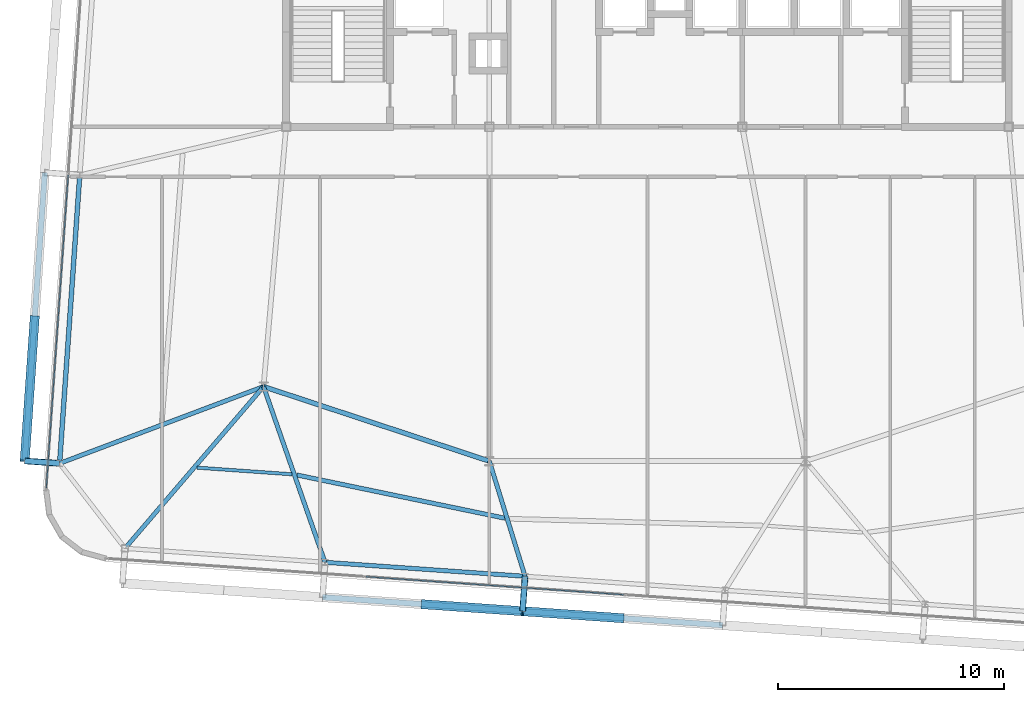
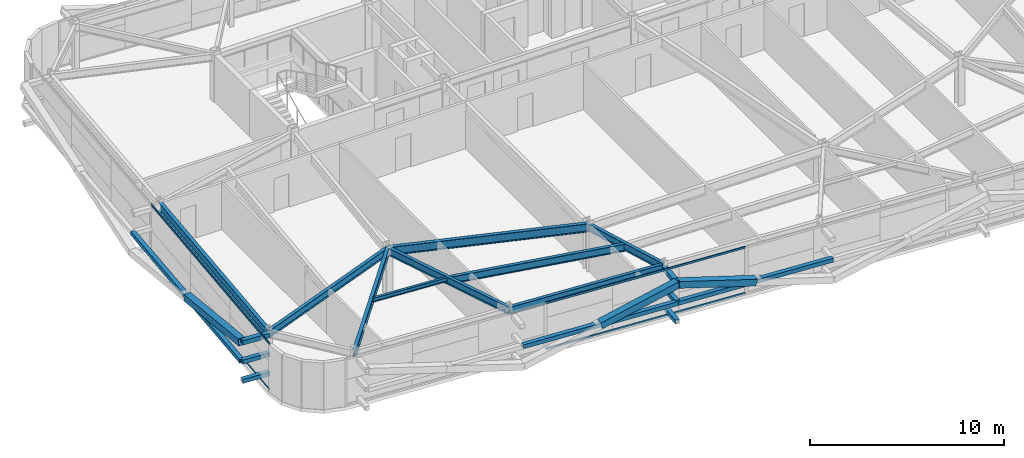
# One storey, part 8 of 39: 16 members, 9 beams, 2 elements without a shape of their own.
"""IFC4 building model written with IfcOpenShell, lengths in metres."""

from ifc_helpers import new_model, si_unit, direction, frame, origin, origin_2d, place, context, subcontext, project, spatial, hollow_rectangle, i_section, extrude, source, transform, mapped, material, layer, layer_set, material_profile, profile_set, type_object, element, aggregate, save


model = new_model("IFC4")

# Units and contexts
model_context = context("Model", 3, precision=1e-05, world=origin(), true_north=direction((0.0, 1.0)))
body_context = subcontext(model_context, "Body", "Model", "MODEL_VIEW")
ifc_project = project(units=[si_unit("LENGTHUNIT", "METRE"), si_unit("AREAUNIT", "SQUARE_METRE"), si_unit("VOLUMEUNIT", "CUBIC_METRE"), si_unit("PLANEANGLEUNIT", "RADIAN"), si_unit("MASSUNIT", "GRAM", prefix="KILO")], contexts=[model_context])

# Site, building, storey
site_placement = place(None, origin())
site = spatial("IfcSite", under=ifc_project, at=site_placement, CompositionType="ELEMENT")
building_placement = place(site_placement, origin())
building = spatial("IfcBuilding", under=site, at=building_placement, Name="Taldren Reach Tower", CompositionType="ELEMENT")
storey_placement = place(building_placement, frame((0.0, 0.0, 155.050048828125)))
storey = spatial("IfcBuildingStorey", under=building, at=storey_placement, Name="L47", CompositionType="ELEMENT", Elevation=155.050048828125)

# Beam
ifc_material_1 = material(Name="Steel Gr 350 (350PLUS)", Category="steel")
ifc_material_profile_1 = material_profile(ifc_material_1, i_section(OverallWidth=0.208984375, OverallDepth=0.532958984375, WebThickness=0.01025390625, FlangeThickness=0.015625, at=origin_2d()), Name="530UB92.4")
ifc_profile_set_1 = profile_set([ifc_material_profile_1], Name="Steel Gr 350 (350PLUS)")
beam_type_1 = type_object("IfcBeamType", Name="BM-UB530A", PredefinedType="BEAM", material=ifc_profile_set_1)
shared_shape_1 = source(origin(), body_context, "Body", "SweptSolid", [
    extrude(i_section(OverallWidth=0.208984375, OverallDepth=0.532958984375, WebThickness=0.01025390625, FlangeThickness=0.015625, at=origin_2d()), origin(), (0.0, 0.0, 1.0), 10.530517578125),
])
beam_1_placement = place(storey_placement, frame((18.0, 12.5, 2.663330078125), z_axis=(0.949627269203, -0.313381635689, 0.0), x_axis=(0.313381635689, 0.949627269203, 0.0)))
element("IfcBeam", 1, at=beam_1_placement, inside=storey, type_object=beam_type_1, Name="Core-spine girder L47-SP10", PredefinedType="BEAM", context=body_context, shape_type="MappedRepresentation", body=[
    mapped(shared_shape_1, transform((0.0, 0.0, 0.0), scale=1.0)),
])

# Members
ifc_material_2 = material(Name="Steel Gr 450 (C450L0)", Category="steel")
ifc_material_profile_2 = material_profile(ifc_material_2, hollow_rectangle(XDim=0.27490234375, YDim=0.27490234375, WallThickness=0.00927734375, at=origin_2d()), Name="275x275x9.3SHS")
ifc_profile_set_2 = profile_set([ifc_material_profile_2], Name="Steel Gr 450 (C450L0)")
member_type_1 = type_object("IfcMemberType", Name="MB-TIE273", PredefinedType="STRUT", material=ifc_profile_set_2)
shared_shape_2 = source(origin(), body_context, "Body", "SweptSolid", [
    extrude(hollow_rectangle(XDim=0.27490234375, YDim=0.27490234375, WallThickness=0.00927734375, at=origin_2d()), origin(), (0.0, 0.0, 1.0), 1.5498046875),
])
member_1_placement = place(storey_placement, frame((8.96875, 9.099609375, 2.64990234375), z_axis=(-0.997573320145, 0.069623781384, 0.0), x_axis=(-0.069623781384, -0.997573320145, 0.0)))
element("IfcMember", 2, at=member_1_placement, inside=storey, type_object=member_type_1, Name="Exoskeleton diaphragm tie strut B3-W1 L47", PredefinedType="STRUT", context=body_context, shape_type="MappedRepresentation", body=[
    mapped(shared_shape_2, transform((0.0, 0.0, 0.0), scale=1.0)),
])
ifc_material_3 = material(Name="Steel Gr 350 (C350L0)", Category="steel")
ifc_material_profile_3 = material_profile(ifc_material_3, hollow_rectangle(XDim=0.25, YDim=0.25, WallThickness=0.010009765625, at=origin_2d()), Name="250x250x10.0SHS")
ifc_profile_set_3 = profile_set([ifc_material_profile_3], Name="Steel Gr 350 (C350L0)")
member_type_2 = type_object("IfcMemberType", Name="MB-POST250", PredefinedType="POST", material=ifc_profile_set_3)
shared_shape_3 = source(origin(), body_context, "Body", "SweptSolid", [
    extrude(hollow_rectangle(XDim=0.25, YDim=0.25, WallThickness=0.010009765625, at=origin_2d()), origin(), (0.0, 0.0, 1.0), 1.5498046875),
])
for number, where, z_axis, x_axis, name in (
    (3, (8.96875, 9.099609375, 0.219970703125), (-0.997573320145, 0.069623781384, 0.0), (-0.069623781384, -0.997573320145, 0.0), "Exoskeleton base diaphragm tie strut B3-W1 L47"),
    (4, (8.96875, 9.099609375, 1.43505859375), (-0.997573320145, 0.069623781384, 0.0), (-0.069623781384, -0.997573320145, 0.0), "Exoskeleton mid-tier diaphragm tie B3-W1 L47"),
):
    element("IfcMember", number, at=place(storey_placement, frame(where, z_axis=z_axis, x_axis=x_axis)), inside=storey, type_object=member_type_2, Name=name, PredefinedType="POST", context=body_context, shape_type="MappedRepresentation", body=[
        mapped(shared_shape_3, transform((0.0, 0.0, 0.0), scale=1.0)),
    ])
shared_shape_4 = source(origin(), body_context, "Body", "SweptSolid", [
    extrude(hollow_rectangle(XDim=0.27490234375, YDim=0.27490234375, WallThickness=0.00927734375, at=origin_2d()), origin(), (0.0, 0.0, 1.0), 1.550048828125),
])
member_2_placement = place(storey_placement, frame((29.580322265625, 4.099609375, 2.64990234375), z_axis=(-0.06976957191, -0.99756313426, 0.0), x_axis=(0.99756313426, -0.06976957191, 0.0)))
element("IfcMember", 5, at=member_2_placement, inside=storey, type_object=member_type_1, Name="Exoskeleton diaphragm tie strut B3-S3 L47", PredefinedType="STRUT", context=body_context, shape_type="MappedRepresentation", body=[
    mapped(shared_shape_4, transform((0.0, 0.0, 0.0), scale=1.0)),
])
shared_shape_5 = source(origin(), body_context, "Body", "SweptSolid", [
    extrude(hollow_rectangle(XDim=0.25, YDim=0.25, WallThickness=0.010009765625, at=origin_2d()), origin(), (0.0, 0.0, 1.0), 1.550048828125),
])
for number, where, z_axis, x_axis, name in (
    (6, (29.580322265625, 4.099609375, 0.219970703125), (-0.06976957191, -0.99756313426, 0.0), (0.99756313426, -0.06976957191, 0.0), "Exoskeleton base diaphragm tie strut B3-S3 L47"),
    (7, (29.580322265625, 4.099609375, 1.43505859375), (-0.06976957191, -0.99756313426, 0.0), (0.99756313426, -0.06976957191, 0.0), "Exoskeleton mid-tier diaphragm tie B3-S3 L47"),
):
    element("IfcMember", number, at=place(storey_placement, frame(where, z_axis=z_axis, x_axis=x_axis)), inside=storey, type_object=member_type_2, Name=name, PredefinedType="POST", context=body_context, shape_type="MappedRepresentation", body=[
        mapped(shared_shape_5, transform((0.0, 0.0, 0.0), scale=1.0)),
    ])

# Beams
ifc_material_profile_4 = material_profile(ifc_material_1, i_section(OverallWidth=0.18994140625, OverallDepth=0.4541015625, WebThickness=0.008544921875, FlangeThickness=0.0126953125, at=origin_2d()), Name="460UB67.1")
ifc_profile_set_4 = profile_set([ifc_material_profile_4], Name="Steel Gr 350 (350PLUS)")
beam_type_2 = type_object("IfcBeamType", Name="SP-UB460B", PredefinedType="SPANDREL", material=ifc_profile_set_4)
shared_shape_6 = source(origin(), body_context, "Body", "SweptSolid", [
    extrude(i_section(OverallWidth=0.18994140625, OverallDepth=0.4541015625, WebThickness=0.008544921875, FlangeThickness=0.0126953125, at=origin_2d()), origin(), (0.0, 0.0, 1.0), 8.880126953125),
])
beam_2_placement = place(storey_placement, frame((20.721923828125, 4.718994140625, 2.702880859375), z_axis=(0.997564479639, -0.069750333063, 0.0), x_axis=(0.069750333063, 0.997564479639, 0.0)))
element("IfcBeam", 8, at=beam_2_placement, inside=storey, type_object=beam_type_2, Name="Perimeter spandrel B3 S2-S3 L47", PredefinedType="SPANDREL", context=body_context, shape_type="MappedRepresentation", body=[
    mapped(shared_shape_6, transform((0.0, 0.0, 0.0), scale=1.0)),
])
ifc_material_profile_5 = material_profile(ifc_material_1, i_section(OverallWidth=0.208984375, OverallDepth=0.528076171875, WebThickness=0.009521484375, FlangeThickness=0.01318359375, at=origin_2d()), Name="530UB82.0")
ifc_profile_set_5 = profile_set([ifc_material_profile_5], Name="Steel Gr 350 (350PLUS)")
beam_type_3 = type_object("IfcBeamType", Name="SP-UB530B", PredefinedType="SPANDREL", material=ifc_profile_set_5)
shared_shape_7 = source(origin(), body_context, "Body", "SweptSolid", [
    extrude(i_section(OverallWidth=0.208984375, OverallDepth=0.528076171875, WebThickness=0.009521484375, FlangeThickness=0.01318359375, at=origin_2d()), origin(), (0.0, 0.0, 1.0), 12.800048828125),
])
beam_3_placement = place(storey_placement, frame((9.86181640625, 21.868408203125, 2.666015625), z_axis=(-0.069770857464, -0.997563044348, 0.0), x_axis=(0.997563044348, -0.069770857464, 0.0)))
element("IfcBeam", 9, at=beam_3_placement, inside=storey, type_object=beam_type_3, Name="Perimeter spandrel B3 W2-W1 L47", PredefinedType="SPANDREL", context=body_context, shape_type="MappedRepresentation", body=[
    mapped(shared_shape_7, transform((0.0, 0.0, 0.0), scale=1.0)),
])
ifc_material_profile_6 = material_profile(ifc_material_1, i_section(OverallWidth=0.19091796875, OverallDepth=0.4599609375, WebThickness=0.010009765625, FlangeThickness=0.01611328125, at=origin_2d()), Name="460UB82.1")
ifc_profile_set_6 = profile_set([ifc_material_profile_6], Name="Steel Gr 350 (350PLUS)")
beam_type_4 = type_object("IfcBeamType", Name="BM-UB460A", PredefinedType="BEAM", material=ifc_profile_set_6)
shared_shape_8 = source(origin(), body_context, "Body", "SweptSolid", [
    extrude(i_section(OverallWidth=0.19091796875, OverallDepth=0.4599609375, WebThickness=0.010009765625, FlangeThickness=0.01611328125, at=origin_2d()), origin(), (0.0, 0.0, 1.0), 9.43115234375),
])
beam_4_placement = place(storey_placement, frame((18.0, 12.5, 2.699951171875), z_axis=(-0.650665584965, -0.759364402999, 0.0), x_axis=(0.759364402999, -0.650665584965, 0.0)))
element("IfcBeam", 10, at=beam_4_placement, inside=storey, type_object=beam_type_4, Name="Primary floor girder B3-S1 L47", PredefinedType="BEAM", context=body_context, shape_type="MappedRepresentation", body=[
    mapped(shared_shape_8, transform((0.0, 0.0, 0.0), scale=1.0)),
])
shared_shape_9 = source(origin(), body_context, "Body", "SweptSolid", [
    extrude(i_section(OverallWidth=0.19091796875, OverallDepth=0.4599609375, WebThickness=0.010009765625, FlangeThickness=0.01611328125, at=origin_2d()), origin(), (0.0, 0.0, 1.0), 8.243408203125),
])
beam_5_placement = place(storey_placement, frame((18.0, 12.5, 2.699951171875), z_axis=(0.330196070713, -0.943912366105, 0.0), x_axis=(0.943912366105, 0.330196070713, 0.0)))
element("IfcBeam", 11, at=beam_5_placement, inside=storey, type_object=beam_type_4, Name="Primary floor girder B3-S2 L47", PredefinedType="BEAM", context=body_context, shape_type="MappedRepresentation", body=[
    mapped(shared_shape_9, transform((0.0, 0.0, 0.0), scale=1.0)),
])
shared_shape_10 = source(origin(), body_context, "Body", "SweptSolid", [
    extrude(i_section(OverallWidth=0.19091796875, OverallDepth=0.4599609375, WebThickness=0.010009765625, FlangeThickness=0.01611328125, at=origin_2d()), origin(), (0.0, 0.0, 1.0), 5.339599609375),
])
beam_6_placement = place(storey_placement, frame((28.0, 9.199951171875, 2.699951171875), z_axis=(0.295964865482, -0.955198826632, 0.0), x_axis=(0.955198826632, 0.295964865482, 0.0)))
element("IfcBeam", 12, at=beam_6_placement, inside=storey, type_object=beam_type_4, Name="Primary floor girder B3-S3 L47", PredefinedType="BEAM", context=body_context, shape_type="MappedRepresentation", body=[
    mapped(shared_shape_10, transform((0.0, 0.0, 0.0), scale=1.0)),
])
shared_shape_11 = source(origin(), body_context, "Body", "SweptSolid", [
    extrude(i_section(OverallWidth=0.19091796875, OverallDepth=0.4599609375, WebThickness=0.010009765625, FlangeThickness=0.01611328125, at=origin_2d()), origin(), (0.0, 0.0, 1.0), 9.650146484375),
])
beam_7_placement = place(storey_placement, frame((18.0, 12.5, 2.699951171875), z_axis=(-0.935862573906, -0.352365212191, 0.0), x_axis=(0.352365212191, -0.935862573906, 0.0)))
element("IfcBeam", 13, at=beam_7_placement, inside=storey, type_object=beam_type_4, Name="Primary floor girder B3-W1 L47", PredefinedType="BEAM", context=body_context, shape_type="MappedRepresentation", body=[
    mapped(shared_shape_11, transform((0.0, 0.0, 0.0), scale=1.0)),
])
ifc_material_4 = material(Name="Steel Gr 300 (300PLUS, 300 MPa)", Category="steel")
ifc_material_profile_7 = material_profile(ifc_material_4, i_section(OverallWidth=0.14599609375, OverallDepth=0.256103515625, WebThickness=0.00634765625, FlangeThickness=0.010986328125, at=origin_2d()), Name="250UB37.3")
ifc_profile_set_7 = profile_set([ifc_material_profile_7], Name="Steel Gr 300 (300PLUS, 300 MPa)")
beam_type_5 = type_object("IfcBeamType", Name="JS-UB250", PredefinedType="JOIST", material=ifc_profile_set_7)
shared_shape_12 = source(origin(), body_context, "Body", "SweptSolid", [
    extrude(i_section(OverallWidth=0.14599609375, OverallDepth=0.256103515625, WebThickness=0.00634765625, FlangeThickness=0.010986328125, at=origin_2d()), origin(), (0.0, 0.0, 1.0), 4.217041015625),
])
beam_8_placement = place(storey_placement, frame((15.050537109375, 8.910888671875, 2.802001953125), z_axis=(0.997563683226, -0.069761722378, 0.0), x_axis=(0.069761722378, 0.997563683226, 0.0)))
element("IfcBeam", 14, at=beam_8_placement, inside=storey, type_object=beam_type_5, Name="Secondary floor joist B3 J1 L47", PredefinedType="JOIST", context=body_context, shape_type="MappedRepresentation", body=[
    mapped(shared_shape_12, transform((0.0, 0.0, 0.0), scale=1.0)),
])
shared_shape_13 = source(origin(), body_context, "Body", "SweptSolid", [
    extrude(i_section(OverallWidth=0.19091796875, OverallDepth=0.4599609375, WebThickness=0.010009765625, FlangeThickness=0.01611328125, at=origin_2d()), origin(), (0.0, 0.0, 1.0), 9.410400390625),
])
beam_9_placement = place(storey_placement, frame((19.469970703125, 8.5869140625, 2.699951171875), z_axis=(0.97907399109, -0.20350459447, 0.0), x_axis=(0.20350459447, 0.97907399109, 0.0)))
element("IfcBeam", 15, at=beam_9_placement, inside=storey, type_object=beam_type_4, Name="Secondary floor beam B3 J2 L47", PredefinedType="BEAM", context=body_context, shape_type="MappedRepresentation", body=[
    mapped(shared_shape_13, transform((0.0, 0.0, 0.0), scale=1.0)),
])

# Members
shared_shape_14 = source(origin(), body_context, "Body", "SweptSolid", [
    extrude(hollow_rectangle(XDim=0.25, YDim=0.25, WallThickness=0.010009765625, at=origin_2d()), origin(), (0.0, 0.0, 1.0), 8.880126953125),
])
for number, where, z_axis, x_axis, name in (
    (16, (20.61376953125, 3.1728515625, 1.43505859375), (0.997562566276, -0.06977769246, 0.0), (0.06977769246, 0.997562566276, 0.0), "Exoskeleton mid-height ring chord B3-S2 L47"),
    (17, (29.47216796875, 2.55322265625, 1.43505859375), (0.997564479639, -0.069750333063, 0.0), (0.069750333063, 0.997564479639, 0.0), "Exoskeleton mid-height ring chord B3-S3 L47"),
):
    element("IfcMember", number, at=place(storey_placement, frame(where, z_axis=z_axis, x_axis=x_axis)), inside=storey, type_object=member_type_2, Name=name, PredefinedType="POST", context=body_context, shape_type="MappedRepresentation", body=[
        mapped(shared_shape_14, transform((0.0, 0.0, 0.0), scale=1.0)),
    ])
shared_shape_15 = source(origin(), body_context, "Body", "SweptSolid", [
    extrude(hollow_rectangle(XDim=0.25, YDim=0.25, WallThickness=0.010009765625, at=origin_2d()), origin(), (0.0, 0.0, 1.0), 12.80029296875),
])
member_3_placement = place(storey_placement, frame((7.422607421875, 9.20751953125, 1.43505859375), z_axis=(0.069750549628, 0.997564464497, 0.0), x_axis=(-0.997564464497, 0.069750549628, 0.0)))
element("IfcMember", 18, at=member_3_placement, inside=storey, type_object=member_type_2, Name="Exoskeleton mid-height ring chord B3-W1 L47", PredefinedType="POST", context=body_context, shape_type="MappedRepresentation", body=[
    mapped(shared_shape_15, transform((0.0, 0.0, 0.0), scale=1.0)),
])
ifc_material_profile_8 = material_profile(ifc_material_2, hollow_rectangle(XDim=0.409912109375, YDim=0.409912109375, WallThickness=0.01611328125, at=origin_2d()), Name="410x410x16.0SHS")
ifc_profile_set_8 = profile_set([ifc_material_profile_8], Name="Steel Gr 450 (C450L0)")
member_type_3 = type_object("IfcMemberType", Name="MB-EXO406", PredefinedType="BRACE", material=ifc_profile_set_8)
shared_shape_16 = source(origin(), body_context, "Body", "SweptSolid", [
    extrude(hollow_rectangle(XDim=0.409912109375, YDim=0.409912109375, WallThickness=0.01611328125, at=origin_2d()), origin(), (0.0, 0.0, 1.0), 4.603271484375),
])
for number, where, z_axis, x_axis, name in (
    (19, (25.04296875, 2.863037109375, 1.43505859375), (0.962195820062, -0.067303852699, 0.263911718699), (0.06977769246, 0.997562566276, 0.0), "Exoskeleton Diagrid Brace B3-S2 L47"),
    (20, (33.9013671875, 2.24365234375, 1.43505859375), (-0.962199253371, 0.067251055742, 0.263912660389), (-0.069722973508, -0.997566392259, 0.0), "Exoskeleton Diagrid Brace B3-S3 L47"),
):
    element("IfcMember", number, at=place(storey_placement, frame(where, z_axis=z_axis, x_axis=x_axis)), inside=storey, type_object=member_type_3, Name=name, PredefinedType="BRACE", context=body_context, shape_type="MappedRepresentation", body=[
        mapped(shared_shape_16, transform((0.0, 0.0, 0.0), scale=1.0)),
    ])
shared_shape_17 = source(origin(), body_context, "Body", "SweptSolid", [
    extrude(hollow_rectangle(XDim=0.409912109375, YDim=0.409912109375, WallThickness=0.01611328125, at=origin_2d()), origin(), (0.0, 0.0, 1.0), 6.514404296875),
])
member_4_placement = place(storey_placement, frame((7.869140625, 15.592041015625, 1.43505859375), z_axis=(-0.068545605936, -0.980063499638, 0.186486022492), x_axis=(0.997563137195, -0.069769529958, 0.0)))
element("IfcMember", 21, at=member_4_placement, inside=storey, type_object=member_type_3, Name="Exoskeleton Diagrid Brace B3-W1 L47", PredefinedType="BRACE", context=body_context, shape_type="MappedRepresentation", body=[
    mapped(shared_shape_17, transform((0.0, 0.0, 0.0), scale=1.0)),
])

# Curtain wall, members
ifc_material_5 = material(Name="Aluminium and Low-E Glass Unitised System", Category="aluminium")
ifc_layer = layer(ifc_material_5, 0.159912109375)
ifc_layer_set = layer_set([ifc_layer], Name="Aluminium and Low-E Glass Unitised System")
curtain_wall_type = type_object("IfcCurtainWallType", Name="CW-SYS-4", PredefinedType="NOTDEFINED", material=ifc_layer_set)
curtain_wall_1_placement = place(storey_placement, origin())
curtain_wall_1 = element("IfcCurtainWall", 22, at=curtain_wall_1_placement, inside=storey, type_object=curtain_wall_type, Name="Unitised curtain wall CW-L47-S", PredefinedType="NOTDEFINED")
ifc_material_6 = material(Name="Anodised Aluminium 6063-T6", Category="aluminium")
ifc_material_profile_9 = material_profile(ifc_material_6, hollow_rectangle(XDim=0.054931640625, YDim=0.1201171875, WallThickness=0.0029296875, at=origin_2d()), Name="ALU-120x55x3RHS")
ifc_profile_set_9 = profile_set([ifc_material_profile_9], Name="Anodised Aluminium 6063-T6")
member_type_4 = type_object("IfcMemberType", Name="CW-TRN-135", PredefinedType="USERDEFINED", material=ifc_profile_set_9)
shared_shape_18 = source(origin(), body_context, "Body", "SweptSolid", [
    extrude(hollow_rectangle(XDim=0.054931640625, YDim=0.1201171875, WallThickness=0.0029296875, at=origin_2d()), origin(), (0.0, 0.0, 1.0), 11.429931640625),
])
member_5_placement = place(storey_placement, frame((22.536865234375, 4.080810546875, 0.02734375), z_axis=(0.997563740938, -0.069760897114, 0.0), x_axis=(0.069760897114, 0.997563740938, 0.0)))
member_5 = element("IfcMember", 23, at=member_5_placement, type_object=member_type_4, Name="CW-4 transom 2.1", ObjectType="TRANSOM", PredefinedType="USERDEFINED", context=body_context, shape_type="MappedRepresentation", body=[
    mapped(shared_shape_18, transform((0.0, 0.0, 0.0), scale=1.0)),
])
member_6_placement = place(storey_placement, frame((22.536865234375, 4.080810546875, 2.90234375), z_axis=(0.997563740938, -0.069760897114, 0.0), x_axis=(0.069760897114, 0.997563740938, 0.0)))
member_6 = element("IfcMember", 24, at=member_6_placement, type_object=member_type_4, Name="CW-4 transom 2.2", ObjectType="TRANSOM", PredefinedType="USERDEFINED", context=body_context, shape_type="MappedRepresentation", body=[
    mapped(shared_shape_18, transform((0.0, 0.0, 0.0), scale=1.0)),
])
aggregate(curtain_wall_1, [member_5, member_6])

curtain_wall_2_placement = place(storey_placement, origin())
curtain_wall_2 = element("IfcCurtainWall", 25, at=curtain_wall_2_placement, inside=storey, type_object=curtain_wall_type, Name="Unitised curtain wall CW-L47-W", PredefinedType="NOTDEFINED")
shared_shape_19 = source(origin(), body_context, "Body", "SweptSolid", [
    extrude(hollow_rectangle(XDim=0.054931640625, YDim=0.1201171875, WallThickness=0.0029296875, at=origin_2d()), origin(), (0.0, 0.0, 1.0), 13.89501953125),
])
member_7_placement = place(storey_placement, frame((9.3505859375, 21.868896484375, 0.02734375), z_axis=(-0.069754817075, -0.997564166104, 0.0), x_axis=(0.997564166104, -0.069754817075, 0.0)))
member_7 = element("IfcMember", 26, at=member_7_placement, type_object=member_type_4, Name="CW-4 transom 2.1", ObjectType="TRANSOM", PredefinedType="USERDEFINED", context=body_context, shape_type="MappedRepresentation", body=[
    mapped(shared_shape_19, transform((0.0, 0.0, 0.0), scale=1.0)),
])
member_8_placement = place(storey_placement, frame((9.3505859375, 21.868896484375, 2.90234375), z_axis=(-0.069754817075, -0.997564166104, 0.0), x_axis=(0.997564166104, -0.069754817075, 0.0)))
member_8 = element("IfcMember", 27, at=member_8_placement, type_object=member_type_4, Name="CW-4 transom 2.2", ObjectType="TRANSOM", PredefinedType="USERDEFINED", context=body_context, shape_type="MappedRepresentation", body=[
    mapped(shared_shape_19, transform((0.0, 0.0, 0.0), scale=1.0)),
])
aggregate(curtain_wall_2, [member_7, member_8])

save(model, "model.ifc")
